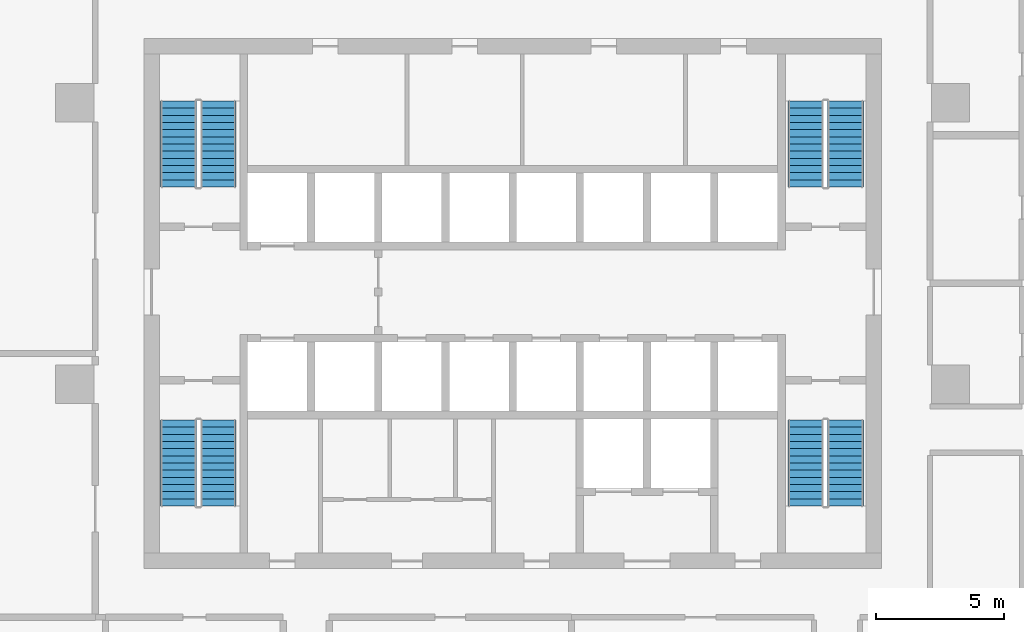
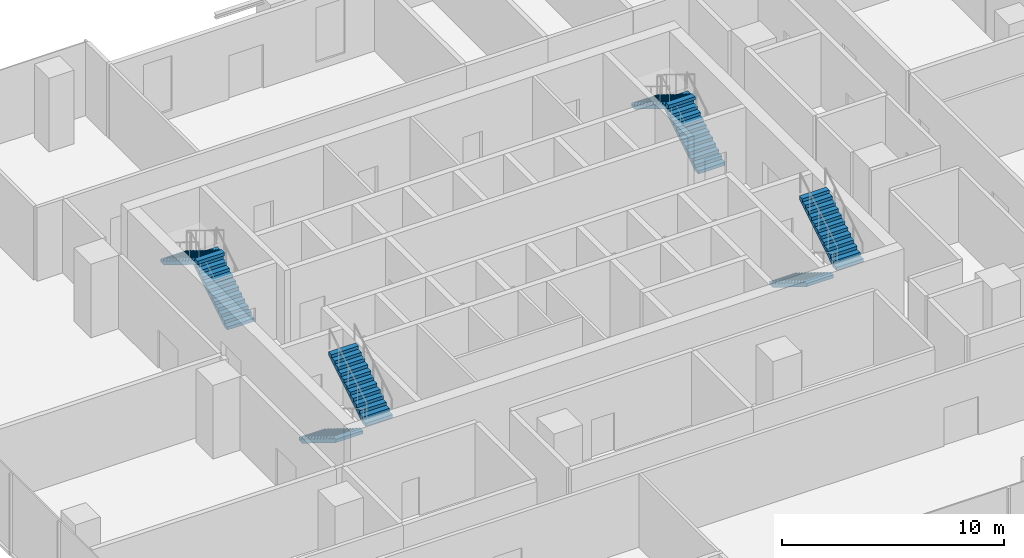
# One storey, part 11 of 14: 8 stair flights, 4 elements without a shape of their own.
"""IFC4 building model written with IfcOpenShell, lengths in metres."""

from ifc_helpers import new_model, si_unit, direction, frame, origin, place, context, subcontext, project, spatial, polyline, outline, extrude, material, type_object, element, aggregate, save


model = new_model("IFC4")

# Units and contexts
model_context = context("Model", 3, precision=1e-05, world=origin(), true_north=direction((0.0, 1.0)))
body_context = subcontext(model_context, "Body", "Model", "MODEL_VIEW")
ifc_project = project(units=[si_unit("LENGTHUNIT", "METRE"), si_unit("AREAUNIT", "SQUARE_METRE"), si_unit("VOLUMEUNIT", "CUBIC_METRE"), si_unit("PLANEANGLEUNIT", "RADIAN"), si_unit("MASSUNIT", "GRAM", prefix="KILO")], contexts=[model_context])

# Site, building, storey
site_placement = place(None, origin())
site = spatial("IfcSite", under=ifc_project, at=site_placement, CompositionType="ELEMENT")
building_placement = place(site_placement, origin())
building = spatial("IfcBuilding", under=site, at=building_placement, Name="Mopane Tessera Tower", CompositionType="ELEMENT")
storey_placement = place(building_placement, frame((0.0, 0.0, 126.10009765625)))
storey = spatial("IfcBuildingStorey", under=building, at=storey_placement, Name="L25", CompositionType="ELEMENT", Elevation=126.10009765625)

# Stair, stair flights
ifc_material_1 = material(Name="Concrete C50/60", Category="concrete")
stair_type = type_object("IfcStairType", Name="Escape stair 1400 mm, riser 173 mm", PredefinedType="HALF_TURN_STAIR", material=ifc_material_1)
stair_1_placement = place(storey_placement, origin())
stair_1 = element("IfcStair", 1, at=stair_1_placement, inside=storey, type_object=stair_type, Name="L25 Escape stair south-west", PredefinedType="HALF_TURN_STAIR")
ifc_material_2 = material(Name="Concrete C50/60", Category="concrete")
stair_flight_type = type_object("IfcStairFlightType", Name="Escape stair flight 1400 mm", PredefinedType="STRAIGHT", material=ifc_material_2)
stair_flight_1_placement = place(storey_placement, frame((-13.050048828125, -1.39990234375, 0.0), z_axis=(0.0, 0.0, 1.0), x_axis=(0.0, -1.0, 0.0)))
stair_flight_1 = element("IfcStairFlight", 2, at=stair_flight_1_placement, type_object=stair_flight_type, Name="ST1 flight 1", NumberOfRisers=13, NumberOfTreads=12, PredefinedType="STRAIGHT", RiserHeight=0.173076923, TreadLength=0.28, context=body_context, shape_type="SweptSolid", body=[
    extrude(outline(polyline([(0.0, 0.0), (0.0, 0.173095703125), (0.280029296875, 0.173095703125), (0.280029296875, 0.34619140625), (0.56005859375, 0.34619140625), (0.56005859375, 0.519287109375), (0.840087890625, 0.519287109375), (0.840087890625, 0.6923828125), (1.1201171875, 0.6923828125), (1.1201171875, 0.865478515625), (1.39990234375, 0.865478515625), (1.39990234375, 1.03857421875), (1.679931640625, 1.03857421875), (1.679931640625, 1.21142578125), (1.9599609375, 1.21142578125), (1.9599609375, 1.384521484375), (2.239990234375, 1.384521484375), (2.239990234375, 1.5576171875), (2.52001953125, 1.5576171875), (2.52001953125, 1.730712890625), (2.800048828125, 1.730712890625), (2.800048828125, 1.90380859375), (3.080078125, 1.90380859375), (3.080078125, 2.076904296875), (3.360107421875, 2.076904296875), (3.360107421875, 2.25), (3.360107421875, 1.900634765625), (0.28515625, 0.0), (0.0, 0.0)])), frame((0.0, 0.699951171875, 0.0), z_axis=(0.0, -1.0, 0.0), x_axis=(1.0, 0.0, 0.0)), (0.0, 0.0, 1.0), 1.39990234375),
])
stair_flight_2_placement = place(storey_placement, frame((-11.5, -4.760009765625, 2.25), z_axis=(0.0, 0.0, 1.0), x_axis=(0.0, 1.0, 0.0)))
stair_flight_2 = element("IfcStairFlight", 3, at=stair_flight_2_placement, type_object=stair_flight_type, Name="ST1 flight 2", NumberOfRisers=13, NumberOfTreads=12, PredefinedType="STRAIGHT", RiserHeight=0.173076923, TreadLength=0.28, context=body_context, shape_type="SweptSolid", body=[
    extrude(outline(polyline([(0.0, 0.0), (0.0, 0.173095703125), (0.280029296875, 0.173095703125), (0.280029296875, 0.34619140625), (0.56005859375, 0.34619140625), (0.56005859375, 0.519287109375), (0.840087890625, 0.519287109375), (0.840087890625, 0.6923828125), (1.1201171875, 0.6923828125), (1.1201171875, 0.865478515625), (1.39990234375, 0.865478515625), (1.39990234375, 1.03857421875), (1.679931640625, 1.03857421875), (1.679931640625, 1.21142578125), (1.9599609375, 1.21142578125), (1.9599609375, 1.384521484375), (2.239990234375, 1.384521484375), (2.239990234375, 1.5576171875), (2.52001953125, 1.5576171875), (2.52001953125, 1.730712890625), (2.800048828125, 1.730712890625), (2.800048828125, 1.90380859375), (3.080078125, 1.90380859375), (3.080078125, 2.076904296875), (3.360107421875, 2.076904296875), (3.360107421875, 2.25), (3.360107421875, 1.900634765625), (0.28515625, 0.0), (0.0, 0.0)])), frame((0.0, 0.699951171875, 0.0), z_axis=(0.0, -1.0, 0.0), x_axis=(1.0, 0.0, 0.0)), (0.0, 0.0, 1.0), 1.39990234375),
])
aggregate(stair_1, [stair_flight_1, stair_flight_2])

stair_2_placement = place(storey_placement, origin())
stair_2 = element("IfcStair", 4, at=stair_2_placement, inside=storey, type_object=stair_type, Name="L25 Escape stair north-west", PredefinedType="HALF_TURN_STAIR")
stair_flight_3_placement = place(storey_placement, frame((-11.5, 7.699951171875, 0.0), z_axis=(0.0, 0.0, 1.0), x_axis=(0.0, 1.0, 0.0)))
stair_flight_3 = element("IfcStairFlight", 5, at=stair_flight_3_placement, type_object=stair_flight_type, Name="ST2 flight 1", NumberOfRisers=13, NumberOfTreads=12, PredefinedType="STRAIGHT", RiserHeight=0.173076923, TreadLength=0.28, context=body_context, shape_type="SweptSolid", body=[
    extrude(outline(polyline([(0.0, 0.0), (0.0, 0.173095703125), (0.280029296875, 0.173095703125), (0.280029296875, 0.34619140625), (0.56005859375, 0.34619140625), (0.56005859375, 0.519287109375), (0.840087890625, 0.519287109375), (0.840087890625, 0.6923828125), (1.1201171875, 0.6923828125), (1.1201171875, 0.865478515625), (1.39990234375, 0.865478515625), (1.39990234375, 1.03857421875), (1.679931640625, 1.03857421875), (1.679931640625, 1.21142578125), (1.9599609375, 1.21142578125), (1.9599609375, 1.384521484375), (2.239990234375, 1.384521484375), (2.239990234375, 1.5576171875), (2.52001953125, 1.5576171875), (2.52001953125, 1.730712890625), (2.800048828125, 1.730712890625), (2.800048828125, 1.90380859375), (3.080078125, 1.90380859375), (3.080078125, 2.076904296875), (3.360107421875, 2.076904296875), (3.360107421875, 2.25), (3.360107421875, 1.900634765625), (0.28515625, 0.0), (0.0, 0.0)])), frame((0.0, 0.699951171875, 0.0), z_axis=(0.0, -1.0, 0.0), x_axis=(1.0, 0.0, 0.0)), (0.0, 0.0, 1.0), 1.39990234375),
])
stair_flight_4_placement = place(storey_placement, frame((-13.050048828125, 11.06005859375, 2.25), z_axis=(0.0, 0.0, 1.0), x_axis=(0.0, -1.0, 0.0)))
stair_flight_4 = element("IfcStairFlight", 6, at=stair_flight_4_placement, type_object=stair_flight_type, Name="ST2 flight 2", NumberOfRisers=13, NumberOfTreads=12, PredefinedType="STRAIGHT", RiserHeight=0.173076923, TreadLength=0.28, context=body_context, shape_type="SweptSolid", body=[
    extrude(outline(polyline([(0.0, 0.0), (0.0, 0.173095703125), (0.280029296875, 0.173095703125), (0.280029296875, 0.34619140625), (0.56005859375, 0.34619140625), (0.56005859375, 0.519287109375), (0.840087890625, 0.519287109375), (0.840087890625, 0.6923828125), (1.1201171875, 0.6923828125), (1.1201171875, 0.865478515625), (1.39990234375, 0.865478515625), (1.39990234375, 1.03857421875), (1.679931640625, 1.03857421875), (1.679931640625, 1.21142578125), (1.9599609375, 1.21142578125), (1.9599609375, 1.384521484375), (2.239990234375, 1.384521484375), (2.239990234375, 1.5576171875), (2.52001953125, 1.5576171875), (2.52001953125, 1.730712890625), (2.800048828125, 1.730712890625), (2.800048828125, 1.90380859375), (3.080078125, 1.90380859375), (3.080078125, 2.076904296875), (3.360107421875, 2.076904296875), (3.360107421875, 2.25), (3.360107421875, 1.900634765625), (0.28515625, 0.0), (0.0, 0.0)])), frame((0.0, 0.699951171875, 0.0), z_axis=(0.0, -1.0, 0.0), x_axis=(1.0, 0.0, 0.0)), (0.0, 0.0, 1.0), 1.39990234375),
])
aggregate(stair_2, [stair_flight_3, stair_flight_4])

stair_3_placement = place(storey_placement, origin())
stair_3 = element("IfcStair", 7, at=stair_3_placement, inside=storey, type_object=stair_type, Name="L25 Escape stair south-east", PredefinedType="HALF_TURN_STAIR")
stair_flight_5_placement = place(storey_placement, frame((11.449951171875, -1.39990234375, 0.0), z_axis=(0.0, 0.0, 1.0), x_axis=(0.0, -1.0, 0.0)))
stair_flight_5 = element("IfcStairFlight", 8, at=stair_flight_5_placement, type_object=stair_flight_type, Name="ST3 flight 1", NumberOfRisers=13, NumberOfTreads=12, PredefinedType="STRAIGHT", RiserHeight=0.173076923, TreadLength=0.28, context=body_context, shape_type="SweptSolid", body=[
    extrude(outline(polyline([(0.0, 0.0), (0.0, 0.173095703125), (0.280029296875, 0.173095703125), (0.280029296875, 0.34619140625), (0.56005859375, 0.34619140625), (0.56005859375, 0.519287109375), (0.840087890625, 0.519287109375), (0.840087890625, 0.6923828125), (1.1201171875, 0.6923828125), (1.1201171875, 0.865478515625), (1.39990234375, 0.865478515625), (1.39990234375, 1.03857421875), (1.679931640625, 1.03857421875), (1.679931640625, 1.21142578125), (1.9599609375, 1.21142578125), (1.9599609375, 1.384521484375), (2.239990234375, 1.384521484375), (2.239990234375, 1.5576171875), (2.52001953125, 1.5576171875), (2.52001953125, 1.730712890625), (2.800048828125, 1.730712890625), (2.800048828125, 1.90380859375), (3.080078125, 1.90380859375), (3.080078125, 2.076904296875), (3.360107421875, 2.076904296875), (3.360107421875, 2.25), (3.360107421875, 1.900634765625), (0.28515625, 0.0), (0.0, 0.0)])), frame((0.0, 0.699951171875, 0.0), z_axis=(0.0, -1.0, 0.0), x_axis=(1.0, 0.0, 0.0)), (0.0, 0.0, 1.0), 1.39990234375),
])
stair_flight_6_placement = place(storey_placement, frame((13.0, -4.760009765625, 2.25), z_axis=(0.0, 0.0, 1.0), x_axis=(0.0, 1.0, 0.0)))
stair_flight_6 = element("IfcStairFlight", 9, at=stair_flight_6_placement, type_object=stair_flight_type, Name="ST3 flight 2", NumberOfRisers=13, NumberOfTreads=12, PredefinedType="STRAIGHT", RiserHeight=0.173076923, TreadLength=0.28, context=body_context, shape_type="SweptSolid", body=[
    extrude(outline(polyline([(0.0, 0.0), (0.0, 0.173095703125), (0.280029296875, 0.173095703125), (0.280029296875, 0.34619140625), (0.56005859375, 0.34619140625), (0.56005859375, 0.519287109375), (0.840087890625, 0.519287109375), (0.840087890625, 0.6923828125), (1.1201171875, 0.6923828125), (1.1201171875, 0.865478515625), (1.39990234375, 0.865478515625), (1.39990234375, 1.03857421875), (1.679931640625, 1.03857421875), (1.679931640625, 1.21142578125), (1.9599609375, 1.21142578125), (1.9599609375, 1.384521484375), (2.239990234375, 1.384521484375), (2.239990234375, 1.5576171875), (2.52001953125, 1.5576171875), (2.52001953125, 1.730712890625), (2.800048828125, 1.730712890625), (2.800048828125, 1.90380859375), (3.080078125, 1.90380859375), (3.080078125, 2.076904296875), (3.360107421875, 2.076904296875), (3.360107421875, 2.25), (3.360107421875, 1.900634765625), (0.28515625, 0.0), (0.0, 0.0)])), frame((0.0, 0.699951171875, 0.0), z_axis=(0.0, -1.0, 0.0), x_axis=(1.0, 0.0, 0.0)), (0.0, 0.0, 1.0), 1.39990234375),
])
aggregate(stair_3, [stair_flight_5, stair_flight_6])

stair_4_placement = place(storey_placement, origin())
stair_4 = element("IfcStair", 10, at=stair_4_placement, inside=storey, type_object=stair_type, Name="L25 Escape stair north-east", PredefinedType="HALF_TURN_STAIR")
stair_flight_7_placement = place(storey_placement, frame((13.0, 7.699951171875, 0.0), z_axis=(0.0, 0.0, 1.0), x_axis=(0.0, 1.0, 0.0)))
stair_flight_7 = element("IfcStairFlight", 11, at=stair_flight_7_placement, type_object=stair_flight_type, Name="ST4 flight 1", NumberOfRisers=13, NumberOfTreads=12, PredefinedType="STRAIGHT", RiserHeight=0.173076923, TreadLength=0.28, context=body_context, shape_type="SweptSolid", body=[
    extrude(outline(polyline([(0.0, 0.0), (0.0, 0.173095703125), (0.280029296875, 0.173095703125), (0.280029296875, 0.34619140625), (0.56005859375, 0.34619140625), (0.56005859375, 0.519287109375), (0.840087890625, 0.519287109375), (0.840087890625, 0.6923828125), (1.1201171875, 0.6923828125), (1.1201171875, 0.865478515625), (1.39990234375, 0.865478515625), (1.39990234375, 1.03857421875), (1.679931640625, 1.03857421875), (1.679931640625, 1.21142578125), (1.9599609375, 1.21142578125), (1.9599609375, 1.384521484375), (2.239990234375, 1.384521484375), (2.239990234375, 1.5576171875), (2.52001953125, 1.5576171875), (2.52001953125, 1.730712890625), (2.800048828125, 1.730712890625), (2.800048828125, 1.90380859375), (3.080078125, 1.90380859375), (3.080078125, 2.076904296875), (3.360107421875, 2.076904296875), (3.360107421875, 2.25), (3.360107421875, 1.900634765625), (0.28515625, 0.0), (0.0, 0.0)])), frame((0.0, 0.699951171875, 0.0), z_axis=(0.0, -1.0, 0.0), x_axis=(1.0, 0.0, 0.0)), (0.0, 0.0, 1.0), 1.39990234375),
])
stair_flight_8_placement = place(storey_placement, frame((11.449951171875, 11.06005859375, 2.25), z_axis=(0.0, 0.0, 1.0), x_axis=(0.0, -1.0, 0.0)))
stair_flight_8 = element("IfcStairFlight", 12, at=stair_flight_8_placement, type_object=stair_flight_type, Name="ST4 flight 2", NumberOfRisers=13, NumberOfTreads=12, PredefinedType="STRAIGHT", RiserHeight=0.173076923, TreadLength=0.28, context=body_context, shape_type="SweptSolid", body=[
    extrude(outline(polyline([(0.0, 0.0), (0.0, 0.173095703125), (0.280029296875, 0.173095703125), (0.280029296875, 0.34619140625), (0.56005859375, 0.34619140625), (0.56005859375, 0.519287109375), (0.840087890625, 0.519287109375), (0.840087890625, 0.6923828125), (1.1201171875, 0.6923828125), (1.1201171875, 0.865478515625), (1.39990234375, 0.865478515625), (1.39990234375, 1.03857421875), (1.679931640625, 1.03857421875), (1.679931640625, 1.21142578125), (1.9599609375, 1.21142578125), (1.9599609375, 1.384521484375), (2.239990234375, 1.384521484375), (2.239990234375, 1.5576171875), (2.52001953125, 1.5576171875), (2.52001953125, 1.730712890625), (2.800048828125, 1.730712890625), (2.800048828125, 1.90380859375), (3.080078125, 1.90380859375), (3.080078125, 2.076904296875), (3.360107421875, 2.076904296875), (3.360107421875, 2.25), (3.360107421875, 1.900634765625), (0.28515625, 0.0), (0.0, 0.0)])), frame((0.0, 0.699951171875, 0.0), z_axis=(0.0, -1.0, 0.0), x_axis=(1.0, 0.0, 0.0)), (0.0, 0.0, 1.0), 1.39990234375),
])
aggregate(stair_4, [stair_flight_7, stair_flight_8])

save(model, "model.ifc")
